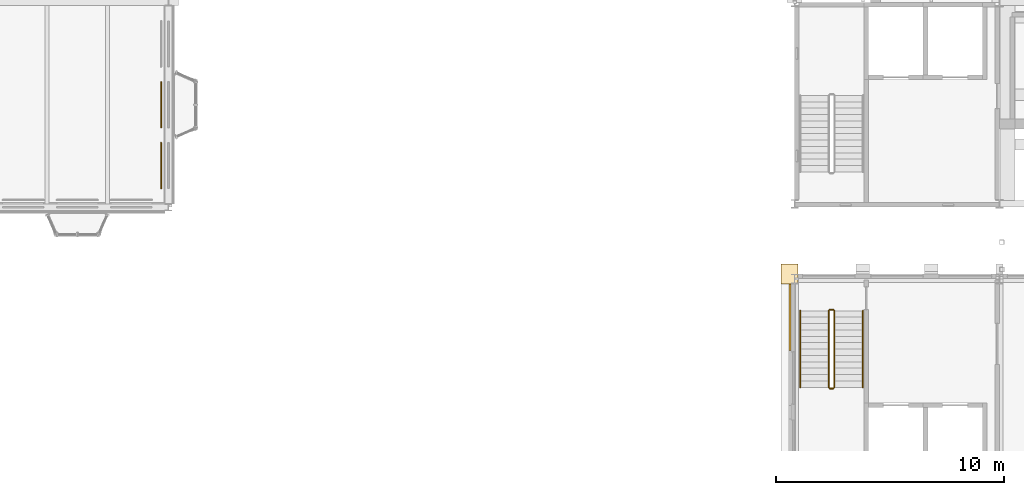
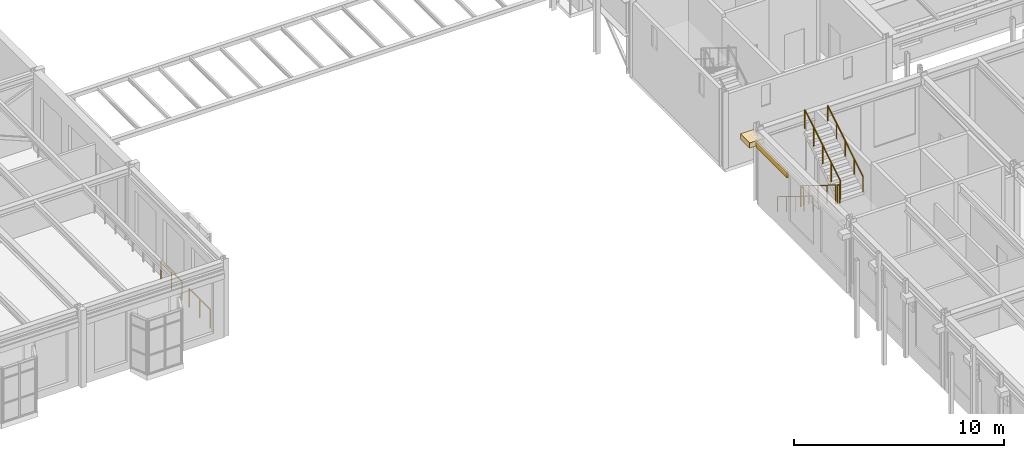
# One storey, part 140 of 153: 8 railings, 2 coverings.
"""IFC4 building model written with IfcOpenShell, lengths in metres."""

from ifc_helpers import new_model, si_unit, direction, frame, origin, origin_2d, place, context, subcontext, project, spatial, rectangle, circle, extrude, material, layer, layer_set, type_object, element, save


model = new_model("IFC4")

# Units and contexts
model_context = context("Model", 3, precision=1e-05, world=origin(), true_north=direction((0.0, 1.0)))
body_context = subcontext(model_context, "Body", "Model", "MODEL_VIEW")
ifc_project = project(units=[si_unit("LENGTHUNIT", "METRE"), si_unit("AREAUNIT", "SQUARE_METRE"), si_unit("VOLUMEUNIT", "CUBIC_METRE"), si_unit("PLANEANGLEUNIT", "RADIAN"), si_unit("MASSUNIT", "GRAM", prefix="KILO")], contexts=[model_context])

# Site, building, storey
site_placement = place(None, origin())
site = spatial("IfcSite", under=ifc_project, at=site_placement, CompositionType="ELEMENT")
building_placement = place(site_placement, origin())
building = spatial("IfcBuilding", under=site, at=building_placement, Name="Kallimachos Central Library", CompositionType="ELEMENT")
storey_placement = place(building_placement, frame((0.0, 0.0, 5.39990234375)))
storey = spatial("IfcBuildingStorey", under=building, at=storey_placement, Name="L01", CompositionType="ELEMENT", Elevation=5.39990234375)

# Covering
ifc_material_1 = material(Name="Glazed ceramic frieze, ochre")
ifc_layer_1 = layer(ifc_material_1, 0.10009765625)
ifc_layer_set_1 = layer_set([ifc_layer_1], Name="Glazed ceramic frieze, ochre")
covering_type_1 = type_object("IfcCoveringType", Name="Glazed ceramic frieze, ochre", PredefinedType="CLADDING", material=ifc_layer_set_1)
covering_1_placement = place(storey_placement, frame((65.29638671875, 82.1669921875, 3.3798828125), z_axis=(0.0, 0.0, 1.0), x_axis=(1.0, 0.0, 0.0)))
element("IfcCovering", 1, at=covering_1_placement, inside=storey, type_object=covering_type_1, Name="Glazed ceramic frieze, ochre -L01-028", PredefinedType="CLADDING", context=body_context, shape_type="SweptSolid", body=[
    extrude(rectangle(XDim=0.10009765625, YDim=2.93408203125, at=origin_2d()), origin(), (0.0, 0.0, 1.0), 0.300048828125),
])

# Railings
ifc_material_2 = material(Name="Wrought iron")
railing_type_1 = type_object("IfcRailingType", Name="Stair guard", PredefinedType="GUARDRAIL", material=ifc_material_2)
railing_1_placement = place(storey_placement, frame((67.0, 82.449951171875, 0.173095703125)))
element("IfcRailing", 2, at=railing_1_placement, inside=storey, type_object=railing_type_1, Name="L01 ST9 stair guard 1", PredefinedType="GUARDRAIL", context=body_context, shape_type="SweptSolid", body=[
    extrude(circle(Radius=0.02392578125, at=origin_2d()), frame((0.0, 0.0, 1.076171875), z_axis=(0.0, -0.850606129759, 0.525803396734), x_axis=(1.0, 0.0, 0.0)), (0.0, 0.0, 1.0), 3.949951171875),
    extrude(circle(Radius=0.02099609375, at=origin_2d()), origin(), (0.0, 0.0, 1.0), 1.052001953125),
    extrude(circle(Radius=0.02099609375, at=origin_2d()), frame((0.0, -0.83984375, 0.519287109375)), (0.0, 0.0, 1.0), 1.052001953125),
    extrude(circle(Radius=0.02099609375, at=origin_2d()), frame((0.0, -1.679931640625, 1.03857421875)), (0.0, 0.0, 1.0), 1.052001953125),
    extrude(circle(Radius=0.02099609375, at=origin_2d()), frame((0.0, -2.52001953125, 1.5576171875)), (0.0, 0.0, 1.0), 1.052001953125),
    extrude(circle(Radius=0.02099609375, at=origin_2d()), frame((0.0, -3.35986328125, 2.076904296875)), (0.0, 0.0, 1.0), 1.052001953125),
])
railing_2_placement = place(storey_placement, frame((67.050048828125, 79.0400390625, 2.25)))
element("IfcRailing", 3, at=railing_2_placement, inside=storey, type_object=railing_type_1, Name="L01 ST9 stair guard 2", PredefinedType="GUARDRAIL", context=body_context, shape_type="SweptSolid", body=[
    extrude(circle(Radius=0.02392578125, at=origin_2d()), frame((0.0, 0.0, 1.076171875), z_axis=(1.0, 0.0, 0.0), x_axis=(0.0, 1.0, 0.0)), (0.0, 0.0, 1.0), 0.14990234375),
    extrude(circle(Radius=0.02099609375, at=origin_2d()), origin(), (0.0, 0.0, 1.0), 1.052001953125),
    extrude(circle(Radius=0.02099609375, at=origin_2d()), frame((0.14990234375, 0.0, 0.0)), (0.0, 0.0, 1.0), 1.052001953125),
])
railing_3_placement = place(storey_placement, frame((67.25, 79.090087890625, 2.423095703125)))
element("IfcRailing", 4, at=railing_3_placement, inside=storey, type_object=railing_type_1, Name="L01 ST9 stair guard 3", PredefinedType="GUARDRAIL", context=body_context, shape_type="SweptSolid", body=[
    extrude(circle(Radius=0.02392578125, at=origin_2d()), frame((0.0, 0.0, 1.076171875), z_axis=(0.0, 0.850606129759, 0.525803396734), x_axis=(-1.0, 0.0, 0.0)), (0.0, 0.0, 1.0), 3.949951171875),
    extrude(circle(Radius=0.02099609375, at=origin_2d()), origin(), (0.0, 0.0, 1.0), 1.052001953125),
    extrude(circle(Radius=0.02099609375, at=origin_2d()), frame((0.0, 0.83984375, 0.519287109375)), (0.0, 0.0, 1.0), 1.052001953125),
    extrude(circle(Radius=0.02099609375, at=origin_2d()), frame((0.0, 1.679931640625, 1.03857421875)), (0.0, 0.0, 1.0), 1.052001953125),
    extrude(circle(Radius=0.02099609375, at=origin_2d()), frame((0.0, 2.52001953125, 1.5576171875)), (0.0, 0.0, 1.0), 1.052001953125),
    extrude(circle(Radius=0.02099609375, at=origin_2d()), frame((0.0, 3.35986328125, 2.076904296875)), (0.0, 0.0, 1.0), 1.052001953125),
])
railing_4_placement = place(storey_placement, frame((67.050048828125, 82.5, 0.0)))
element("IfcRailing", 5, at=railing_4_placement, inside=storey, type_object=railing_type_1, Name="L01 ST9 stair guard 4", PredefinedType="GUARDRAIL", context=body_context, shape_type="SweptSolid", body=[
    extrude(circle(Radius=0.02392578125, at=origin_2d()), frame((0.0, 0.0, 1.076171875), z_axis=(1.0, 0.0, 0.0), x_axis=(0.0, 1.0, 0.0)), (0.0, 0.0, 1.0), 0.14990234375),
    extrude(circle(Radius=0.02099609375, at=origin_2d()), origin(), (0.0, 0.0, 1.0), 1.052001953125),
    extrude(circle(Radius=0.02099609375, at=origin_2d()), frame((0.14990234375, 0.0, 0.0)), (0.0, 0.0, 1.0), 1.052001953125),
])
ifc_material_3 = material(Name="Wrought iron")
railing_type_2 = type_object("IfcRailingType", Name="Stair handrail", PredefinedType="HANDRAIL", material=ifc_material_3)
railing_5_placement = place(storey_placement, frame((65.75, 82.449951171875, 0.173095703125)))
element("IfcRailing", 6, at=railing_5_placement, inside=storey, type_object=railing_type_2, Name="L01 ST9 stair handrail 1", PredefinedType="HANDRAIL", context=body_context, shape_type="SweptSolid", body=[
    extrude(circle(Radius=0.02392578125, at=origin_2d()), frame((0.0, 0.0, 0.8759765625), z_axis=(0.0, -0.850606129759, 0.525803396734), x_axis=(1.0, 0.0, 0.0)), (0.0, 0.0, 1.0), 3.949951171875),
    extrude(circle(Radius=0.02099609375, at=origin_2d()), origin(), (0.0, 0.0, 1.0), 0.851806640625),
    extrude(circle(Radius=0.02099609375, at=origin_2d()), frame((0.0, -0.83984375, 0.519287109375)), (0.0, 0.0, 1.0), 0.851806640625),
    extrude(circle(Radius=0.02099609375, at=origin_2d()), frame((0.0, -1.679931640625, 1.03857421875)), (0.0, 0.0, 1.0), 0.851806640625),
    extrude(circle(Radius=0.02099609375, at=origin_2d()), frame((0.0, -2.52001953125, 1.5576171875)), (0.0, 0.0, 1.0), 0.851806640625),
    extrude(circle(Radius=0.02099609375, at=origin_2d()), frame((0.0, -3.35986328125, 2.076904296875)), (0.0, 0.0, 1.0), 0.851806640625),
])
railing_6_placement = place(storey_placement, frame((68.5, 79.090087890625, 2.423095703125)))
element("IfcRailing", 7, at=railing_6_placement, inside=storey, type_object=railing_type_2, Name="L01 ST9 stair handrail 2", PredefinedType="HANDRAIL", context=body_context, shape_type="SweptSolid", body=[
    extrude(circle(Radius=0.02392578125, at=origin_2d()), frame((0.0, 0.0, 0.8759765625), z_axis=(0.0, 0.850606129759, 0.525803396734), x_axis=(-1.0, 0.0, 0.0)), (0.0, 0.0, 1.0), 3.949951171875),
    extrude(circle(Radius=0.02099609375, at=origin_2d()), origin(), (0.0, 0.0, 1.0), 0.851806640625),
    extrude(circle(Radius=0.02099609375, at=origin_2d()), frame((0.0, 0.83984375, 0.519287109375)), (0.0, 0.0, 1.0), 0.851806640625),
    extrude(circle(Radius=0.02099609375, at=origin_2d()), frame((0.0, 1.679931640625, 1.03857421875)), (0.0, 0.0, 1.0), 0.851806640625),
    extrude(circle(Radius=0.02099609375, at=origin_2d()), frame((0.0, 2.52001953125, 1.5576171875)), (0.0, 0.0, 1.0), 0.851806640625),
    extrude(circle(Radius=0.02099609375, at=origin_2d()), frame((0.0, 3.35986328125, 2.076904296875)), (0.0, 0.0, 1.0), 0.851806640625),
])

# Covering
ifc_material_4 = material(Name="Pentelic marble cornice", Category="masonry")
ifc_layer_2 = layer(ifc_material_4, 0.449951171875)
ifc_layer_set_2 = layer_set([ifc_layer_2], Name="Stone cornice 450")
covering_type_2 = type_object("IfcCoveringType", Name="Stone cornice 450", PredefinedType="MOLDING", material=ifc_layer_set_2)
covering_2_placement = place(storey_placement, frame((65.27490234375, 84.074951171875, 3.4501953125), z_axis=(0.0, 0.0, 1.0), x_axis=(1.0, 0.0, 0.0)))
element("IfcCovering", 8, at=covering_2_placement, inside=storey, type_object=covering_type_2, Name="Stone cornice 450 corner", PredefinedType="MOLDING", context=body_context, shape_type="SweptSolid", body=[
    extrude(rectangle(XDim=0.757080078125, YDim=0.882080078125, at=origin_2d()), origin(), (0.0, 0.0, 1.0), 0.300048828125),
])

# Railings
ifc_material_5 = material(Name="Wrought iron")
railing_type_3 = type_object("IfcRailingType", Name="Window guard 1100", PredefinedType="GUARDRAIL", material=ifc_material_5)
for number, where, name in (
    (9, (37.679931640625, 87.824951171875, 0.0), "Window guard"),
    (10, (37.679931640625, 90.5, 0.0), "Window guard"),
):
    element("IfcRailing", number, at=place(storey_placement, frame(where)), inside=storey, type_object=railing_type_3, Name=name, PredefinedType="GUARDRAIL", context=body_context, shape_type="SweptSolid", body=[
        extrude(circle(Radius=0.02392578125, at=origin_2d()), frame((0.0, 0.0, 1.076171875), z_axis=(0.0, 1.0, 0.0), x_axis=(-1.0, 0.0, 0.0)), (0.0, 0.0, 1.0), 2.0),
        extrude(circle(Radius=0.02099609375, at=origin_2d()), origin(), (0.0, 0.0, 1.0), 1.052001953125),
        extrude(circle(Radius=0.02099609375, at=origin_2d()), frame((0.0, 1.0, 0.0)), (0.0, 0.0, 1.0), 1.052001953125),
        extrude(circle(Radius=0.02099609375, at=origin_2d()), frame((0.0, 2.0, 0.0)), (0.0, 0.0, 1.0), 1.052001953125),
    ])

save(model, "model.ifc")
